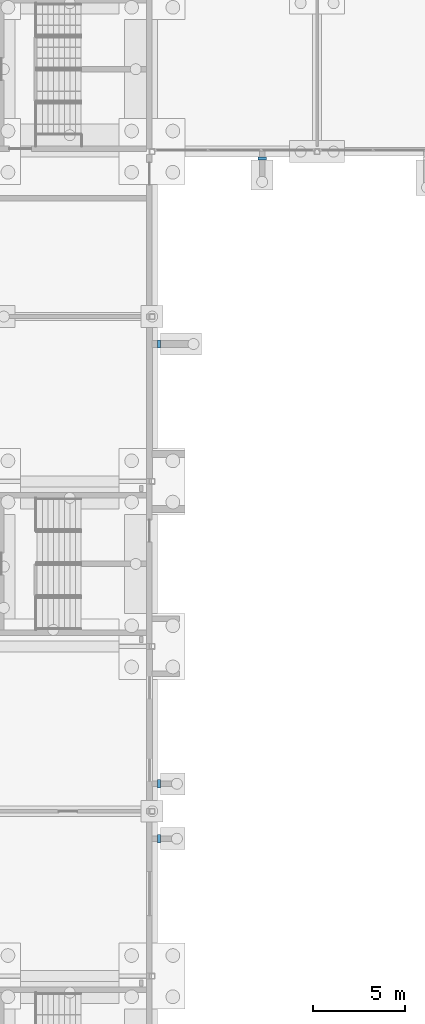
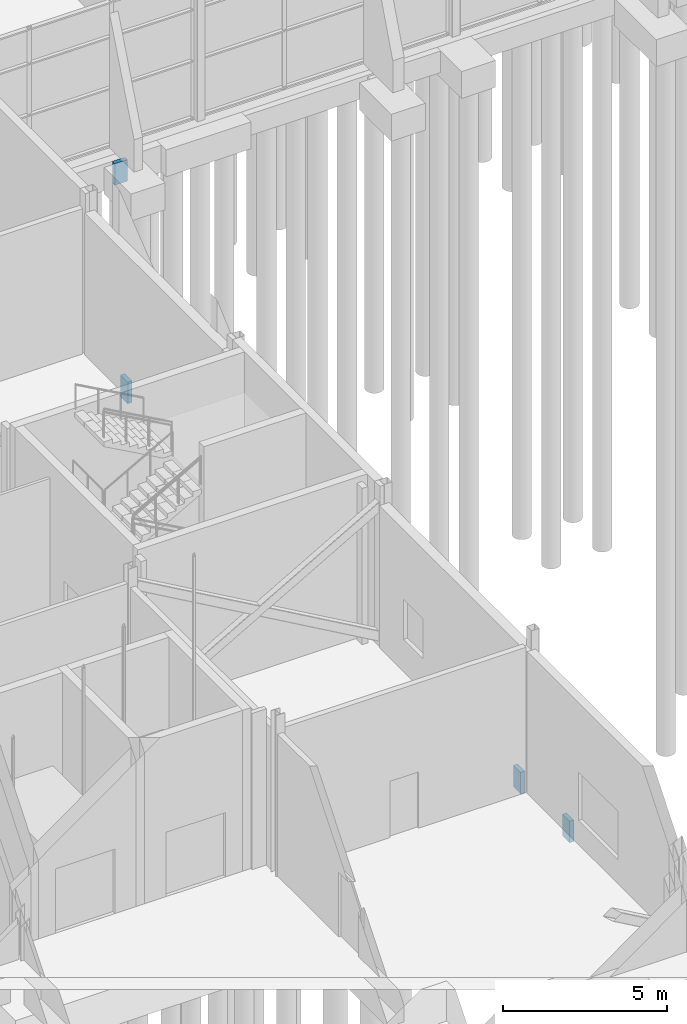
# One storey, part 12 of 139: 4 footings.
"""IFC4 building model written with IfcOpenShell, lengths in metres."""

from ifc_helpers import new_model, si_unit, direction, frame, origin, origin_2d, place, context, subcontext, project, spatial, rectangle, extrude, material, type_object, element, save


model = new_model("IFC4")

# Units and contexts
model_context = context("Model", 3, precision=1e-05, world=origin(), true_north=direction((0.0, 1.0)))
body_context = subcontext(model_context, "Body", "Model", "MODEL_VIEW")
ifc_project = project(units=[si_unit("LENGTHUNIT", "METRE"), si_unit("AREAUNIT", "SQUARE_METRE"), si_unit("VOLUMEUNIT", "CUBIC_METRE"), si_unit("PLANEANGLEUNIT", "RADIAN"), si_unit("MASSUNIT", "GRAM", prefix="KILO")], contexts=[model_context])

# Site, building, storey
site_placement = place(None, origin())
site = spatial("IfcSite", under=ifc_project, at=site_placement, CompositionType="ELEMENT")
building_placement = place(site_placement, origin())
building = spatial("IfcBuilding", under=site, at=building_placement, Name="Shorebreak Coast Museum", CompositionType="ELEMENT")
storey_placement = place(building_placement, origin())
storey = spatial("IfcBuildingStorey", under=building, at=storey_placement, Name="L00", CompositionType="ELEMENT", Elevation=0.0)

# Footings
ifc_material = material(Name="Concrete N50 (50 MPa)", Category="concrete")
footing_type = type_object("IfcFootingType", Name="Footing ground beam 450x800", PredefinedType="FOOTING_BEAM", material=ifc_material)
footing_placement = place(storey_placement, frame((123.0, 53.625, -1.10009765625), z_axis=(0.0, 0.0, 1.0), x_axis=(1.0, 0.0, 0.0)))
element("IfcFooting", 1, at=footing_placement, inside=storey, type_object=footing_type, Name="Ground beam fin to tie ES", PredefinedType="FOOTING_BEAM", context=body_context, shape_type="SweptSolid", body=[
    extrude(rectangle(XDim=0.449951171875, YDim=0.14990234375, at=origin_2d()), origin(), (0.0, 0.0, 1.0), 0.800048828125),
])
for number, where, z_axis, x_axis, name in (
    (2, (117.375, 16.5, -1.10009765625), (0.0, 0.0, 1.0), (1.0, 0.0, 0.0), "Ground beam fin to tie SE"),
    (3, (117.375, 19.5, -1.10009765625), (0.0, 0.0, 1.0), (1.0, 0.0, 0.0), "Ground beam fin to tie SE"),
    (4, (117.375, 43.5, -1.10009765625), (0.0, 0.0, 1.0), (1.0, 0.0, 0.0), "Ground beam fin to tie SE"),
):
    element("IfcFooting", number, at=place(storey_placement, frame(where, z_axis=z_axis, x_axis=x_axis)), inside=storey, type_object=footing_type, Name=name, PredefinedType="FOOTING_BEAM", context=body_context, shape_type="SweptSolid", body=[
        extrude(rectangle(XDim=0.14990234375, YDim=0.449951171875, at=origin_2d()), origin(), (0.0, 0.0, 1.0), 0.800048828125),
    ])

save(model, "model.ifc")
